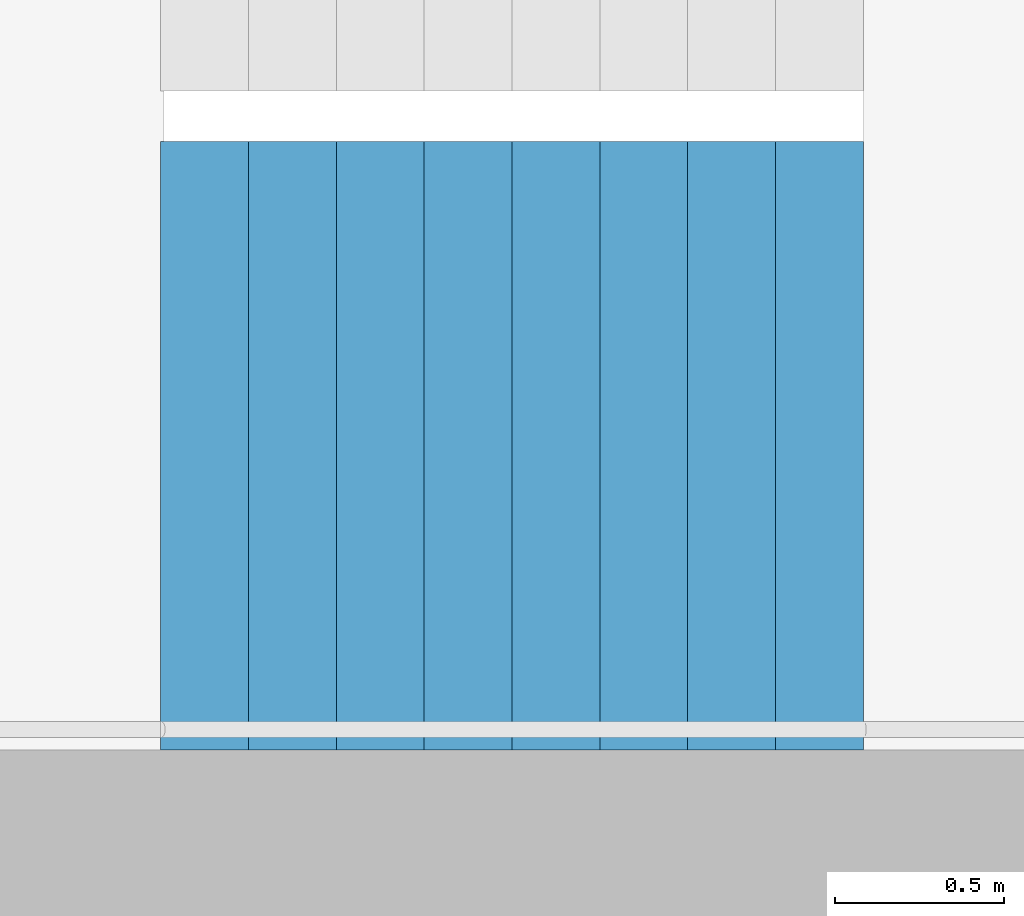
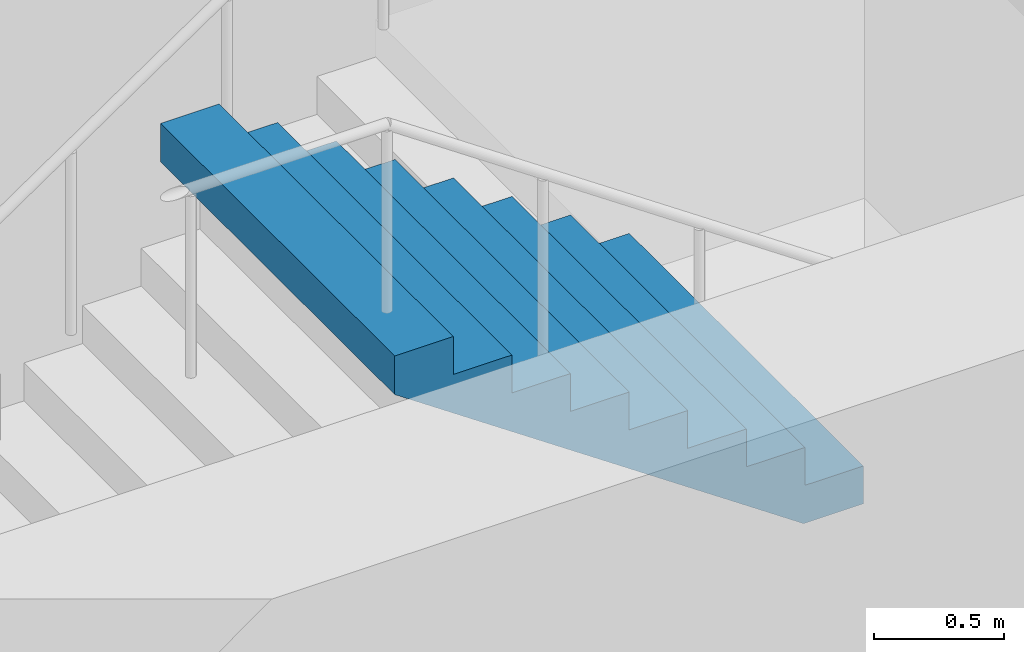
# One storey, part 25 of 29: 1 stair flight, 1 element without a shape of its own.
"""IFC4 building model written with IfcOpenShell, lengths in metres."""

from ifc_helpers import new_model, si_unit, direction, frame, origin, place, context, subcontext, project, spatial, triangles, material, type_object, element, aggregate, save


model = new_model("IFC4")

# Units and contexts
model_context = context("Model", 3, precision=1e-05, world=origin(), true_north=direction((0.0, 1.0)))
body_context = subcontext(model_context, "Body", "Model", "MODEL_VIEW")
ifc_project = project(units=[si_unit("LENGTHUNIT", "METRE"), si_unit("AREAUNIT", "SQUARE_METRE"), si_unit("VOLUMEUNIT", "CUBIC_METRE"), si_unit("PLANEANGLEUNIT", "RADIAN"), si_unit("MASSUNIT", "GRAM", prefix="KILO")], contexts=[model_context])

# Site, building, storey
site_placement = place(None, origin())
site = spatial("IfcSite", under=ifc_project, at=site_placement, CompositionType="ELEMENT")
building_placement = place(site_placement, origin())
building = spatial("IfcBuilding", under=site, at=building_placement, Name="Hakoniwa Tower and Hamabe Station Hall", CompositionType="ELEMENT")
storey_placement = place(building_placement, frame((0.0, 0.0, 78.60009765625)))
storey = spatial("IfcBuildingStorey", under=building, at=storey_placement, Name="L21", CompositionType="ELEMENT", Elevation=78.60009765625)

# Stair, stair flight
ifc_material_1 = material(Name="Concrete C40", Category="concrete")
stair_type = type_object("IfcStairType", Name="ESCAPE STAIR 1800", PredefinedType="HALF_TURN_STAIR", material=ifc_material_1)
stair_placement = place(storey_placement, origin())
stair = element("IfcStair", 1, at=stair_placement, inside=storey, type_object=stair_type, Name="Escape stair ST-4 L21", PredefinedType="HALF_TURN_STAIR")
ifc_material_2 = material(Name="Concrete C40", Category="concrete")
stair_flight_type = type_object("IfcStairFlightType", Name="STAIR FLIGHT 1800", PredefinedType="STRAIGHT", material=ifc_material_2)
stair_flight_placement = place(storey_placement, frame((25.47998046875, -6.60009765625, 1.599853515625), z_axis=(0.0, 0.0, 1.0), x_axis=(-1.0, 0.0, 0.0)))
stair_flight = element("IfcStairFlight", 2, at=stair_flight_placement, type_object=stair_flight_type, Name="ST-4 flight 2", NumberOfRisers=9, NumberOfTreads=8, PredefinedType="STRAIGHT", RiserHeight=0.177777778, TreadLength=0.26, context=body_context, shape_type="Tessellation", body=[
    triangles([(0.0, 0.89990234375, 0.0), (0.260009765625, 0.89990234375, 0.0), (0.265625, 0.89990234375, 0.0), (0.52001953125, 0.89990234375, 0.174072265625), (0.780029296875, 0.89990234375, 0.351806640625), (1.0400390625, 0.89990234375, 0.529541015625), (1.300048828125, 0.89990234375, 0.707275390625), (1.56005859375, 0.89990234375, 0.885009765625), (1.820068359375, 0.89990234375, 1.062744140625), (2.080078125, 0.89990234375, 1.24072265625), (2.080078125, 0.89990234375, 1.422119140625), (1.820068359375, 0.89990234375, 1.422119140625), (1.820068359375, 0.89990234375, 1.244384765625), (1.56005859375, 0.89990234375, 1.244384765625), (1.56005859375, 0.89990234375, 1.066650390625), (1.300048828125, 0.89990234375, 1.066650390625), (1.300048828125, 0.89990234375, 0.888916015625), (1.0400390625, 0.89990234375, 0.888916015625), (1.0400390625, 0.89990234375, 0.711181640625), (0.780029296875, 0.89990234375, 0.711181640625), (0.780029296875, 0.89990234375, 0.533447265625), (0.52001953125, 0.89990234375, 0.533447265625), (0.52001953125, 0.89990234375, 0.35546875), (0.265625, 0.89990234375, 0.35546875), (0.260009765625, 0.89990234375, 0.35546875), (0.260009765625, 0.89990234375, 0.177734375), (0.0, 0.89990234375, 0.177734375), (0.0, 0.06005859375, 0.0), (0.260009765625, 0.06005859375, 0.0), (0.265625, 0.06005859375, 0.0), (0.52001953125, 0.06005859375, 0.174072265625), (0.780029296875, 0.06005859375, 0.351806640625), (1.0400390625, 0.06005859375, 0.529541015625), (1.300048828125, 0.06005859375, 0.707275390625), (1.56005859375, 0.06005859375, 0.885009765625), (1.820068359375, 0.06005859375, 1.062744140625), (2.080078125, 0.06005859375, 1.24072265625), (2.080078125, 0.06005859375, 1.422119140625), (1.820068359375, 0.06005859375, 1.422119140625), (1.820068359375, 0.06005859375, 1.244384765625), (1.56005859375, 0.06005859375, 1.244384765625), (1.56005859375, 0.06005859375, 1.066650390625), (1.300048828125, 0.06005859375, 1.066650390625), (1.300048828125, 0.06005859375, 0.888916015625), (1.0400390625, 0.06005859375, 0.888916015625), (1.0400390625, 0.06005859375, 0.711181640625), (0.780029296875, 0.06005859375, 0.711181640625), (0.780029296875, 0.06005859375, 0.533447265625), (0.52001953125, 0.06005859375, 0.533447265625), (0.52001953125, 0.06005859375, 0.35546875), (0.265625, 0.06005859375, 0.35546875), (0.260009765625, 0.06005859375, 0.35546875), (0.260009765625, 0.06005859375, 0.177734375), (0.0, 0.06005859375, 0.177734375), (0.0, 0.04296875, 0.0), (0.260009765625, 0.04296875, 0.0), (0.265625, 0.04296875, 0.0), (0.52001953125, 0.04296875, 0.174072265625), (0.780029296875, 0.04296875, 0.351806640625), (1.0400390625, 0.04296875, 0.529541015625), (1.300048828125, 0.04296875, 0.707275390625), (1.56005859375, 0.04296875, 0.885009765625), (1.820068359375, 0.04296875, 1.062744140625), (2.080078125, 0.04296875, 1.24072265625), (2.080078125, 0.04296875, 1.422119140625), (1.820068359375, 0.04296875, 1.422119140625), (1.820068359375, 0.04296875, 1.244384765625), (1.56005859375, 0.04296875, 1.244384765625), (1.56005859375, 0.04296875, 1.066650390625), (1.300048828125, 0.04296875, 1.066650390625), (1.300048828125, 0.04296875, 0.888916015625), (1.0400390625, 0.04296875, 0.888916015625), (1.0400390625, 0.04296875, 0.711181640625), (0.780029296875, 0.04296875, 0.711181640625), (0.780029296875, 0.04296875, 0.533447265625), (0.52001953125, 0.04296875, 0.533447265625), (0.52001953125, 0.04296875, 0.35546875), (0.265625, 0.04296875, 0.35546875), (0.260009765625, 0.04296875, 0.35546875), (0.260009765625, 0.04296875, 0.177734375), (0.0, 0.04296875, 0.177734375), (0.0, 0.025634765625, 0.0), (0.260009765625, 0.025634765625, 0.0), (0.265625, 0.025634765625, 0.0), (0.52001953125, 0.025634765625, 0.174072265625), (0.780029296875, 0.025634765625, 0.351806640625), (1.0400390625, 0.025634765625, 0.529541015625), (1.300048828125, 0.025634765625, 0.707275390625), (1.56005859375, 0.025634765625, 0.885009765625), (1.820068359375, 0.025634765625, 1.062744140625), (2.080078125, 0.025634765625, 1.24072265625), (2.080078125, 0.025634765625, 1.422119140625), (1.820068359375, 0.025634765625, 1.422119140625), (1.820068359375, 0.025634765625, 1.244384765625), (1.56005859375, 0.025634765625, 1.244384765625), (1.56005859375, 0.025634765625, 1.066650390625), (1.300048828125, 0.025634765625, 1.066650390625), (1.300048828125, 0.025634765625, 0.888916015625), (1.0400390625, 0.025634765625, 0.888916015625), (1.0400390625, 0.025634765625, 0.711181640625), (0.780029296875, 0.025634765625, 0.711181640625), (0.780029296875, 0.025634765625, 0.533447265625), (0.52001953125, 0.025634765625, 0.533447265625), (0.52001953125, 0.025634765625, 0.35546875), (0.265625, 0.025634765625, 0.35546875), (0.260009765625, 0.025634765625, 0.35546875), (0.260009765625, 0.025634765625, 0.177734375), (0.0, 0.025634765625, 0.177734375), (0.0, 0.008544921875, 0.0), (0.260009765625, 0.008544921875, 0.0), (0.265625, 0.008544921875, 0.0), (0.52001953125, 0.008544921875, 0.174072265625), (0.780029296875, 0.008544921875, 0.351806640625), (1.0400390625, 0.008544921875, 0.529541015625), (1.300048828125, 0.008544921875, 0.707275390625), (1.56005859375, 0.008544921875, 0.885009765625), (1.820068359375, 0.008544921875, 1.062744140625), (2.080078125, 0.008544921875, 1.24072265625), (2.080078125, 0.008544921875, 1.422119140625), (1.820068359375, 0.008544921875, 1.422119140625), (1.820068359375, 0.008544921875, 1.244384765625), (1.56005859375, 0.008544921875, 1.244384765625), (1.56005859375, 0.008544921875, 1.066650390625), (1.300048828125, 0.008544921875, 1.066650390625), (1.300048828125, 0.008544921875, 0.888916015625), (1.0400390625, 0.008544921875, 0.888916015625), (1.0400390625, 0.008544921875, 0.711181640625), (0.780029296875, 0.008544921875, 0.711181640625), (0.780029296875, 0.008544921875, 0.533447265625), (0.52001953125, 0.008544921875, 0.533447265625), (0.52001953125, 0.008544921875, 0.35546875), (0.265625, 0.008544921875, 0.35546875), (0.260009765625, 0.008544921875, 0.35546875), (0.260009765625, 0.008544921875, 0.177734375), (0.0, 0.008544921875, 0.177734375), (0.0, -0.008544921875, 0.0), (0.260009765625, -0.008544921875, 0.0), (0.265625, -0.008544921875, 0.0), (0.52001953125, -0.008544921875, 0.174072265625), (0.780029296875, -0.008544921875, 0.351806640625), (1.0400390625, -0.008544921875, 0.529541015625), (1.300048828125, -0.008544921875, 0.707275390625), (1.56005859375, -0.008544921875, 0.885009765625), (1.820068359375, -0.008544921875, 1.062744140625), (2.080078125, -0.008544921875, 1.24072265625), (2.080078125, -0.008544921875, 1.422119140625), (1.820068359375, -0.008544921875, 1.422119140625), (1.820068359375, -0.008544921875, 1.244384765625), (1.56005859375, -0.008544921875, 1.244384765625), (1.56005859375, -0.008544921875, 1.066650390625), (1.300048828125, -0.008544921875, 1.066650390625), (1.300048828125, -0.008544921875, 0.888916015625), (1.0400390625, -0.008544921875, 0.888916015625), (1.0400390625, -0.008544921875, 0.711181640625), (0.780029296875, -0.008544921875, 0.711181640625), (0.780029296875, -0.008544921875, 0.533447265625), (0.52001953125, -0.008544921875, 0.533447265625), (0.52001953125, -0.008544921875, 0.35546875), (0.265625, -0.008544921875, 0.35546875), (0.260009765625, -0.008544921875, 0.35546875), (0.260009765625, -0.008544921875, 0.177734375), (0.0, -0.008544921875, 0.177734375), (0.0, -0.025634765625, 0.0), (0.260009765625, -0.025634765625, 0.0), (0.265625, -0.025634765625, 0.0), (0.52001953125, -0.025634765625, 0.174072265625), (0.780029296875, -0.025634765625, 0.351806640625), (1.0400390625, -0.025634765625, 0.529541015625), (1.300048828125, -0.025634765625, 0.707275390625), (1.56005859375, -0.025634765625, 0.885009765625), (1.820068359375, -0.025634765625, 1.062744140625), (2.080078125, -0.025634765625, 1.24072265625), (2.080078125, -0.025634765625, 1.422119140625), (1.820068359375, -0.025634765625, 1.422119140625), (1.820068359375, -0.025634765625, 1.244384765625), (1.56005859375, -0.025634765625, 1.244384765625), (1.56005859375, -0.025634765625, 1.066650390625), (1.300048828125, -0.025634765625, 1.066650390625), (1.300048828125, -0.025634765625, 0.888916015625), (1.0400390625, -0.025634765625, 0.888916015625), (1.0400390625, -0.025634765625, 0.711181640625), (0.780029296875, -0.025634765625, 0.711181640625), (0.780029296875, -0.025634765625, 0.533447265625), (0.52001953125, -0.025634765625, 0.533447265625), (0.52001953125, -0.025634765625, 0.35546875), (0.265625, -0.025634765625, 0.35546875), (0.260009765625, -0.025634765625, 0.35546875), (0.260009765625, -0.025634765625, 0.177734375), (0.0, -0.025634765625, 0.177734375), (0.0, -0.04296875, 0.0), (0.260009765625, -0.04296875, 0.0), (0.265625, -0.04296875, 0.0), (0.52001953125, -0.04296875, 0.174072265625), (0.780029296875, -0.04296875, 0.351806640625), (1.0400390625, -0.04296875, 0.529541015625), (1.300048828125, -0.04296875, 0.707275390625), (1.56005859375, -0.04296875, 0.885009765625), (1.820068359375, -0.04296875, 1.062744140625), (2.080078125, -0.04296875, 1.24072265625), (2.080078125, -0.04296875, 1.422119140625), (1.820068359375, -0.04296875, 1.422119140625), (1.820068359375, -0.04296875, 1.244384765625), (1.56005859375, -0.04296875, 1.244384765625), (1.56005859375, -0.04296875, 1.066650390625), (1.300048828125, -0.04296875, 1.066650390625), (1.300048828125, -0.04296875, 0.888916015625), (1.0400390625, -0.04296875, 0.888916015625), (1.0400390625, -0.04296875, 0.711181640625), (0.780029296875, -0.04296875, 0.711181640625), (0.780029296875, -0.04296875, 0.533447265625), (0.52001953125, -0.04296875, 0.533447265625), (0.52001953125, -0.04296875, 0.35546875), (0.265625, -0.04296875, 0.35546875), (0.260009765625, -0.04296875, 0.35546875), (0.260009765625, -0.04296875, 0.177734375), (0.0, -0.04296875, 0.177734375), (0.0, -0.06005859375, 0.0), (0.260009765625, -0.06005859375, 0.0), (0.265625, -0.06005859375, 0.0), (0.52001953125, -0.06005859375, 0.174072265625), (0.780029296875, -0.06005859375, 0.351806640625), (1.0400390625, -0.06005859375, 0.529541015625), (1.300048828125, -0.06005859375, 0.707275390625), (1.56005859375, -0.06005859375, 0.885009765625), (1.820068359375, -0.06005859375, 1.062744140625), (2.080078125, -0.06005859375, 1.24072265625), (2.080078125, -0.06005859375, 1.422119140625), (1.820068359375, -0.06005859375, 1.422119140625), (1.820068359375, -0.06005859375, 1.244384765625), (1.56005859375, -0.06005859375, 1.244384765625), (1.56005859375, -0.06005859375, 1.066650390625), (1.300048828125, -0.06005859375, 1.066650390625), (1.300048828125, -0.06005859375, 0.888916015625), (1.0400390625, -0.06005859375, 0.888916015625), (1.0400390625, -0.06005859375, 0.711181640625), (0.780029296875, -0.06005859375, 0.711181640625), (0.780029296875, -0.06005859375, 0.533447265625), (0.52001953125, -0.06005859375, 0.533447265625), (0.52001953125, -0.06005859375, 0.35546875), (0.265625, -0.06005859375, 0.35546875), (0.260009765625, -0.06005859375, 0.35546875), (0.260009765625, -0.06005859375, 0.177734375), (0.0, -0.06005859375, 0.177734375), (0.0, -0.89990234375, 0.0), (0.260009765625, -0.89990234375, 0.0), (0.265625, -0.89990234375, 0.0), (0.52001953125, -0.89990234375, 0.174072265625), (0.780029296875, -0.89990234375, 0.351806640625), (1.0400390625, -0.89990234375, 0.529541015625), (1.300048828125, -0.89990234375, 0.707275390625), (1.56005859375, -0.89990234375, 0.885009765625), (1.820068359375, -0.89990234375, 1.062744140625), (2.080078125, -0.89990234375, 1.24072265625), (2.080078125, -0.89990234375, 1.422119140625), (1.820068359375, -0.89990234375, 1.422119140625), (1.820068359375, -0.89990234375, 1.244384765625), (1.56005859375, -0.89990234375, 1.244384765625), (1.56005859375, -0.89990234375, 1.066650390625), (1.300048828125, -0.89990234375, 1.066650390625), (1.300048828125, -0.89990234375, 0.888916015625), (1.0400390625, -0.89990234375, 0.888916015625), (1.0400390625, -0.89990234375, 0.711181640625), (0.780029296875, -0.89990234375, 0.711181640625), (0.780029296875, -0.89990234375, 0.533447265625), (0.52001953125, -0.89990234375, 0.533447265625), (0.52001953125, -0.89990234375, 0.35546875), (0.265625, -0.89990234375, 0.35546875), (0.260009765625, -0.89990234375, 0.35546875), (0.260009765625, -0.89990234375, 0.177734375), (0.0, -0.89990234375, 0.177734375)], [[2, 27, 26], [245, 269, 270], [2, 1, 27], [245, 270, 244], [3, 25, 24], [246, 267, 268], [3, 26, 25], [246, 268, 269], [3, 2, 26], [246, 269, 245], [4, 24, 23], [247, 266, 267], [4, 3, 24], [247, 267, 246], [5, 22, 21], [248, 264, 265], [5, 23, 22], [248, 265, 266], [5, 4, 23], [248, 266, 247], [6, 20, 19], [249, 262, 263], [6, 21, 20], [249, 263, 264], [6, 5, 21], [249, 264, 248], [7, 18, 17], [250, 260, 261], [7, 19, 18], [250, 261, 262], [7, 6, 19], [250, 262, 249], [8, 16, 15], [251, 258, 259], [8, 17, 16], [251, 259, 260], [8, 7, 17], [251, 260, 250], [9, 14, 13], [252, 256, 257], [9, 15, 14], [252, 257, 258], [9, 8, 15], [252, 258, 251], [10, 12, 11], [253, 254, 255], [10, 13, 12], [253, 255, 256], [10, 9, 13], [253, 256, 252], [1, 2, 29], [1, 29, 28], [28, 29, 56], [28, 56, 55], [55, 56, 83], [55, 83, 82], [82, 83, 110], [82, 110, 109], [109, 110, 137], [109, 137, 136], [136, 137, 164], [136, 164, 163], [163, 164, 191], [163, 191, 190], [190, 191, 218], [190, 218, 217], [217, 218, 245], [217, 245, 244], [2, 3, 30], [2, 30, 29], [29, 30, 57], [29, 57, 56], [56, 57, 84], [56, 84, 83], [83, 84, 111], [83, 111, 110], [110, 111, 138], [110, 138, 137], [137, 138, 165], [137, 165, 164], [164, 165, 192], [164, 192, 191], [191, 192, 219], [191, 219, 218], [218, 219, 246], [218, 246, 245], [3, 4, 31], [3, 31, 30], [30, 31, 58], [30, 58, 57], [57, 58, 85], [57, 85, 84], [84, 85, 112], [84, 112, 111], [111, 112, 139], [111, 139, 138], [138, 139, 166], [138, 166, 165], [165, 166, 193], [165, 193, 192], [192, 193, 220], [192, 220, 219], [219, 220, 247], [219, 247, 246], [4, 5, 32], [4, 32, 31], [31, 32, 59], [31, 59, 58], [58, 59, 86], [58, 86, 85], [85, 86, 113], [85, 113, 112], [112, 113, 140], [112, 140, 139], [139, 140, 167], [139, 167, 166], [166, 167, 194], [166, 194, 193], [193, 194, 221], [193, 221, 220], [220, 221, 248], [220, 248, 247], [5, 6, 33], [5, 33, 32], [32, 33, 60], [32, 60, 59], [59, 60, 87], [59, 87, 86], [86, 87, 114], [86, 114, 113], [113, 114, 141], [113, 141, 140], [140, 141, 168], [140, 168, 167], [167, 168, 195], [167, 195, 194], [194, 195, 222], [194, 222, 221], [221, 222, 249], [221, 249, 248], [6, 7, 34], [6, 34, 33], [33, 34, 61], [33, 61, 60], [60, 61, 88], [60, 88, 87], [87, 88, 115], [87, 115, 114], [114, 115, 142], [114, 142, 141], [141, 142, 169], [141, 169, 168], [168, 169, 196], [168, 196, 195], [195, 196, 223], [195, 223, 222], [222, 223, 250], [222, 250, 249], [7, 8, 35], [7, 35, 34], [34, 35, 62], [34, 62, 61], [61, 62, 89], [61, 89, 88], [88, 89, 116], [88, 116, 115], [115, 116, 143], [115, 143, 142], [142, 143, 170], [142, 170, 169], [169, 170, 197], [169, 197, 196], [196, 197, 224], [196, 224, 223], [223, 224, 251], [223, 251, 250], [8, 9, 36], [8, 36, 35], [35, 36, 63], [35, 63, 62], [62, 63, 90], [62, 90, 89], [89, 90, 117], [89, 117, 116], [116, 117, 144], [116, 144, 143], [143, 144, 171], [143, 171, 170], [170, 171, 198], [170, 198, 197], [197, 198, 225], [197, 225, 224], [224, 225, 252], [224, 252, 251], [9, 10, 37], [9, 37, 36], [36, 37, 64], [36, 64, 63], [63, 64, 91], [63, 91, 90], [90, 91, 118], [90, 118, 117], [117, 118, 145], [117, 145, 144], [144, 145, 172], [144, 172, 171], [171, 172, 199], [171, 199, 198], [198, 199, 226], [198, 226, 225], [225, 226, 253], [225, 253, 252], [10, 11, 38], [10, 38, 37], [37, 38, 65], [37, 65, 64], [64, 65, 92], [64, 92, 91], [91, 92, 119], [91, 119, 118], [118, 119, 146], [118, 146, 145], [145, 146, 173], [145, 173, 172], [172, 173, 200], [172, 200, 199], [199, 200, 227], [199, 227, 226], [226, 227, 254], [226, 254, 253], [11, 12, 39], [11, 39, 38], [38, 39, 66], [38, 66, 65], [65, 66, 93], [65, 93, 92], [92, 93, 120], [92, 120, 119], [119, 120, 147], [119, 147, 146], [146, 147, 174], [146, 174, 173], [173, 174, 201], [173, 201, 200], [200, 201, 228], [200, 228, 227], [227, 228, 255], [227, 255, 254], [12, 13, 40], [12, 40, 39], [39, 40, 67], [39, 67, 66], [66, 67, 94], [66, 94, 93], [93, 94, 121], [93, 121, 120], [120, 121, 148], [120, 148, 147], [147, 148, 175], [147, 175, 174], [174, 175, 202], [174, 202, 201], [201, 202, 229], [201, 229, 228], [228, 229, 256], [228, 256, 255], [13, 14, 41], [13, 41, 40], [40, 41, 68], [40, 68, 67], [67, 68, 95], [67, 95, 94], [94, 95, 122], [94, 122, 121], [121, 122, 149], [121, 149, 148], [148, 149, 176], [148, 176, 175], [175, 176, 203], [175, 203, 202], [202, 203, 230], [202, 230, 229], [229, 230, 257], [229, 257, 256], [14, 15, 42], [14, 42, 41], [41, 42, 69], [41, 69, 68], [68, 69, 96], [68, 96, 95], [95, 96, 123], [95, 123, 122], [122, 123, 150], [122, 150, 149], [149, 150, 177], [149, 177, 176], [176, 177, 204], [176, 204, 203], [203, 204, 231], [203, 231, 230], [230, 231, 258], [230, 258, 257], [15, 16, 43], [15, 43, 42], [42, 43, 70], [42, 70, 69], [69, 70, 97], [69, 97, 96], [96, 97, 124], [96, 124, 123], [123, 124, 151], [123, 151, 150], [150, 151, 178], [150, 178, 177], [177, 178, 205], [177, 205, 204], [204, 205, 232], [204, 232, 231], [231, 232, 259], [231, 259, 258], [16, 17, 44], [16, 44, 43], [43, 44, 71], [43, 71, 70], [70, 71, 98], [70, 98, 97], [97, 98, 125], [97, 125, 124], [124, 125, 152], [124, 152, 151], [151, 152, 179], [151, 179, 178], [178, 179, 206], [178, 206, 205], [205, 206, 233], [205, 233, 232], [232, 233, 260], [232, 260, 259], [17, 18, 45], [17, 45, 44], [44, 45, 72], [44, 72, 71], [71, 72, 99], [71, 99, 98], [98, 99, 126], [98, 126, 125], [125, 126, 153], [125, 153, 152], [152, 153, 180], [152, 180, 179], [179, 180, 207], [179, 207, 206], [206, 207, 234], [206, 234, 233], [233, 234, 261], [233, 261, 260], [18, 19, 46], [18, 46, 45], [45, 46, 73], [45, 73, 72], [72, 73, 100], [72, 100, 99], [99, 100, 127], [99, 127, 126], [126, 127, 154], [126, 154, 153], [153, 154, 181], [153, 181, 180], [180, 181, 208], [180, 208, 207], [207, 208, 235], [207, 235, 234], [234, 235, 262], [234, 262, 261], [19, 20, 47], [19, 47, 46], [46, 47, 74], [46, 74, 73], [73, 74, 101], [73, 101, 100], [100, 101, 128], [100, 128, 127], [127, 128, 155], [127, 155, 154], [154, 155, 182], [154, 182, 181], [181, 182, 209], [181, 209, 208], [208, 209, 236], [208, 236, 235], [235, 236, 263], [235, 263, 262], [20, 21, 48], [20, 48, 47], [47, 48, 75], [47, 75, 74], [74, 75, 102], [74, 102, 101], [101, 102, 129], [101, 129, 128], [128, 129, 156], [128, 156, 155], [155, 156, 183], [155, 183, 182], [182, 183, 210], [182, 210, 209], [209, 210, 237], [209, 237, 236], [236, 237, 264], [236, 264, 263], [21, 22, 49], [21, 49, 48], [48, 49, 76], [48, 76, 75], [75, 76, 103], [75, 103, 102], [102, 103, 130], [102, 130, 129], [129, 130, 157], [129, 157, 156], [156, 157, 184], [156, 184, 183], [183, 184, 211], [183, 211, 210], [210, 211, 238], [210, 238, 237], [237, 238, 265], [237, 265, 264], [22, 23, 50], [22, 50, 49], [49, 50, 77], [49, 77, 76], [76, 77, 104], [76, 104, 103], [103, 104, 131], [103, 131, 130], [130, 131, 158], [130, 158, 157], [157, 158, 185], [157, 185, 184], [184, 185, 212], [184, 212, 211], [211, 212, 239], [211, 239, 238], [238, 239, 266], [238, 266, 265], [23, 24, 51], [23, 51, 50], [50, 51, 78], [50, 78, 77], [77, 78, 105], [77, 105, 104], [104, 105, 132], [104, 132, 131], [131, 132, 159], [131, 159, 158], [158, 159, 186], [158, 186, 185], [185, 186, 213], [185, 213, 212], [212, 213, 240], [212, 240, 239], [239, 240, 267], [239, 267, 266], [24, 25, 52], [24, 52, 51], [51, 52, 79], [51, 79, 78], [78, 79, 106], [78, 106, 105], [105, 106, 133], [105, 133, 132], [132, 133, 160], [132, 160, 159], [159, 160, 187], [159, 187, 186], [186, 187, 214], [186, 214, 213], [213, 214, 241], [213, 241, 240], [240, 241, 268], [240, 268, 267], [25, 26, 53], [25, 53, 52], [52, 53, 80], [52, 80, 79], [79, 80, 107], [79, 107, 106], [106, 107, 134], [106, 134, 133], [133, 134, 161], [133, 161, 160], [160, 161, 188], [160, 188, 187], [187, 188, 215], [187, 215, 214], [214, 215, 242], [214, 242, 241], [241, 242, 269], [241, 269, 268], [26, 27, 54], [26, 54, 53], [53, 54, 81], [53, 81, 80], [80, 81, 108], [80, 108, 107], [107, 108, 135], [107, 135, 134], [134, 135, 162], [134, 162, 161], [161, 162, 189], [161, 189, 188], [188, 189, 216], [188, 216, 215], [215, 216, 243], [215, 243, 242], [242, 243, 270], [242, 270, 269], [27, 1, 28], [27, 28, 54], [54, 28, 55], [54, 55, 81], [81, 55, 82], [81, 82, 108], [108, 82, 109], [108, 109, 135], [135, 109, 136], [135, 136, 162], [162, 136, 163], [162, 163, 189], [189, 163, 190], [189, 190, 216], [216, 190, 217], [216, 217, 243], [243, 217, 244], [243, 244, 270]], closed=True),
])
aggregate(stair, [stair_flight])

save(model, "model.ifc")
